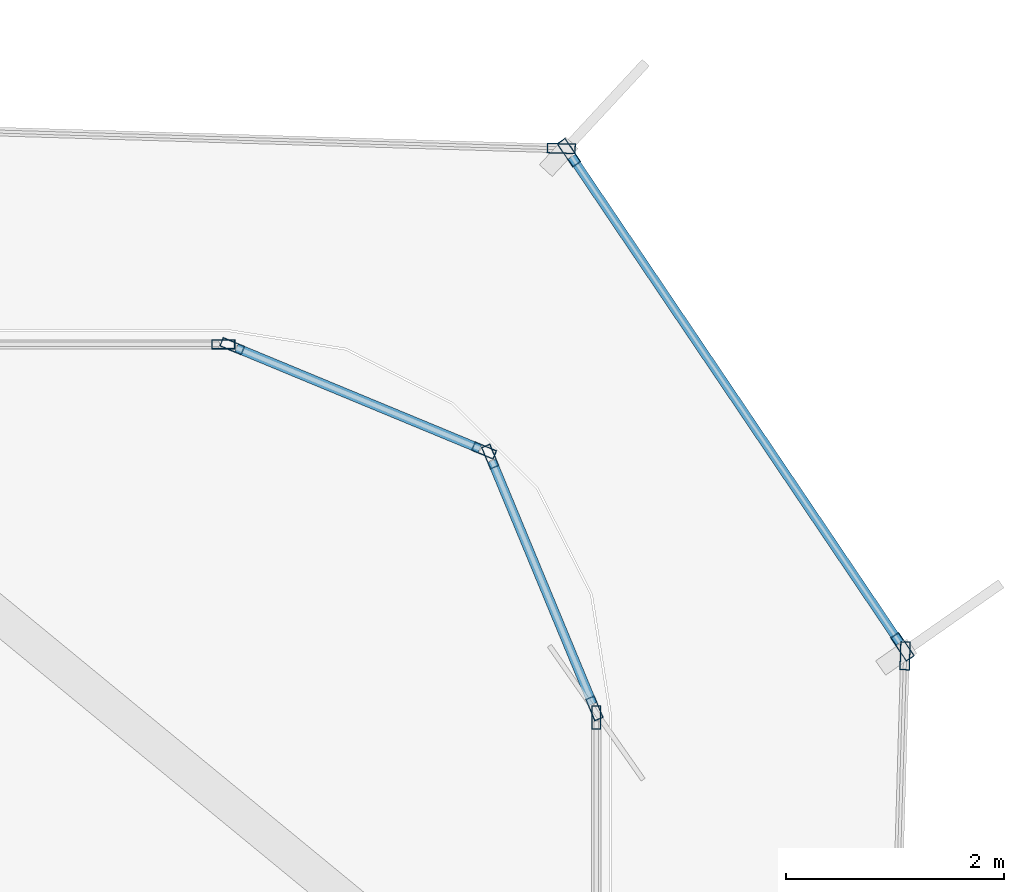
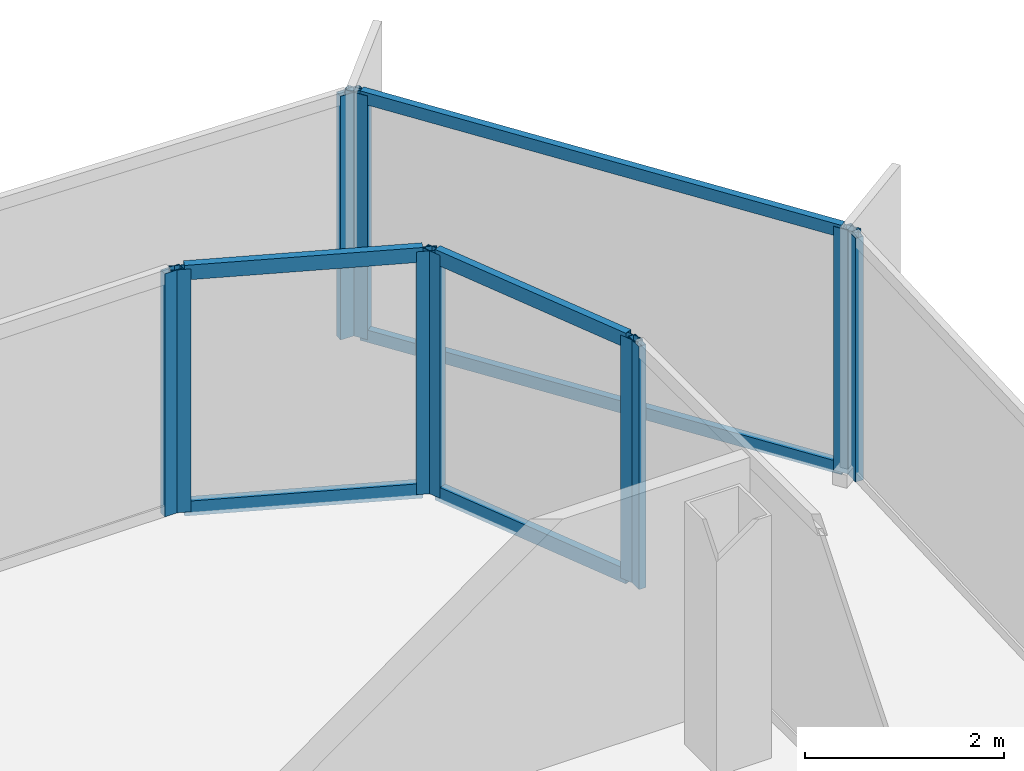
# One storey, part 8 of 15: 16 members, 7 elements without a shape of their own.
"""IFC4 building model written with IfcOpenShell, lengths in metres."""

from ifc_helpers import new_model, si_unit, direction, frame, origin, origin_2d, place, context, subcontext, project, spatial, hollow_rectangle, extrude, source, transform, mapped, material, layer, layer_set, material_profile, profile_set, type_object, element, aggregate, save


model = new_model("IFC4")

# Units and contexts
model_context = context("Model", 3, precision=1e-05, world=origin(), true_north=direction((0.0, 1.0)))
body_context = subcontext(model_context, "Body", "Model", "MODEL_VIEW")
ifc_project = project(units=[si_unit("LENGTHUNIT", "METRE"), si_unit("AREAUNIT", "SQUARE_METRE"), si_unit("VOLUMEUNIT", "CUBIC_METRE"), si_unit("PLANEANGLEUNIT", "RADIAN"), si_unit("MASSUNIT", "GRAM", prefix="KILO")], contexts=[model_context])

# Site, building, storey
site_placement = place(None, origin())
site = spatial("IfcSite", under=ifc_project, at=site_placement, CompositionType="ELEMENT")
building_placement = place(site_placement, origin())
building = spatial("IfcBuilding", under=site, at=building_placement, Name="Kolveth Station Tower", CompositionType="ELEMENT")
storey_placement = place(building_placement, frame((0.0, 0.0, 258.5)))
storey = spatial("IfcBuildingStorey", under=building, at=storey_placement, Name="L74", CompositionType="ELEMENT", Elevation=258.5)

# Curtain wall, member
ifc_material_1 = material(Name="Black anodized aluminium 6063-T6 and dark solar glass", Category="aluminium")
ifc_layer_1 = layer(ifc_material_1, 0.159912109375)
ifc_layer_set_1 = layer_set([ifc_layer_1], Name="Black anodized aluminium 6063-T6 and dark solar glass")
curtain_wall_type_1 = type_object("IfcCurtainWallType", Name="OUTER SKIN CW-OS", PredefinedType="NOTDEFINED", material=ifc_layer_set_1)
curtain_wall_1_placement = place(storey_placement, origin())
curtain_wall_1 = element("IfcCurtainWall", 1, at=curtain_wall_1_placement, inside=storey, type_object=curtain_wall_type_1, Name="L74 Outer Ventilated Skin Curtain Wall 2", PredefinedType="NOTDEFINED")
ifc_material_2 = material(Name="Black anodized aluminium 6063-T6", Category="aluminium")
ifc_material_profile_1 = material_profile(ifc_material_2, hollow_rectangle(XDim=0.090087890625, YDim=0.260009765625, WallThickness=0.0048828125, at=origin_2d()), Name="ALU-90x260x5")
ifc_profile_set_1 = profile_set([ifc_material_profile_1], Name="Black anodized aluminium 6063-T6")
member_type_1 = type_object("IfcMemberType", Name="FIN MULLION ML-OS", PredefinedType="MULLION", material=ifc_profile_set_1)
shared_shape_1 = source(origin(), body_context, "Body", "SweptSolid", [
    extrude(hollow_rectangle(XDim=0.090087890625, YDim=0.260009765625, WallThickness=0.0048828125, at=origin_2d()), origin(), (0.0, 0.0, 1.0), 2.989990234375),
])
member_1_placement = place(storey_placement, frame((44.513916015625, 32.322021484375, 0.0), z_axis=(0.0, 0.0, 1.0), x_axis=(-0.999566757924, 0.029432914465, 0.0)))
member_1 = element("IfcMember", 2, at=member_1_placement, type_object=member_type_1, Name="CW-OS mullion 2", PredefinedType="MULLION", context=body_context, shape_type="MappedRepresentation", body=[
    mapped(shared_shape_1, transform((0.0, 0.0, 0.0), x_axis=(1.0, 0.0, 0.0), y_axis=(0.0, 1.0, 0.0), z_axis=(0.0, 0.0, 1.0), scale=1.0)),
])
aggregate(curtain_wall_1, [member_1])

# Curtain wall, members
curtain_wall_2_placement = place(storey_placement, origin())
curtain_wall_2 = element("IfcCurtainWall", 3, at=curtain_wall_2_placement, inside=storey, type_object=curtain_wall_type_1, Name="L74 Outer Ventilated Skin Curtain Wall 3", PredefinedType="NOTDEFINED")
member_2_placement = place(storey_placement, frame((44.489990234375, 32.404296875, 0.0), z_axis=(0.0, 0.0, 1.0), x_axis=(-0.828883275485, -0.559421590236, 0.0)))
member_2 = element("IfcMember", 4, at=member_2_placement, type_object=member_type_1, Name="CW-OS mullion 1", PredefinedType="MULLION", context=body_context, shape_type="MappedRepresentation", body=[
    mapped(shared_shape_1, transform((0.0, 0.0, 0.0), x_axis=(1.0, 0.0, 0.0), y_axis=(0.0, 1.0, 0.0), z_axis=(0.0, 0.0, 1.0), scale=1.0)),
])
member_3_placement = place(storey_placement, frame((41.42919921875, 36.939453125, 0.0), z_axis=(0.0, 0.0, 1.0), x_axis=(-0.828883275485, -0.559421590236, 0.0)))
member_3 = element("IfcMember", 5, at=member_3_placement, type_object=member_type_1, Name="CW-OS mullion 2", PredefinedType="MULLION", context=body_context, shape_type="MappedRepresentation", body=[
    mapped(shared_shape_1, transform((0.0, 0.0, 0.0), x_axis=(1.0, 0.0, 0.0), y_axis=(0.0, 1.0, 0.0), z_axis=(0.0, 0.0, 1.0), scale=1.0)),
])

# Curtain wall, member
curtain_wall_3_placement = place(storey_placement, origin())
curtain_wall_3 = element("IfcCurtainWall", 6, at=curtain_wall_3_placement, inside=storey, type_object=curtain_wall_type_1, Name="L74 Outer Ventilated Skin Curtain Wall 4", PredefinedType="NOTDEFINED")
member_4_placement = place(storey_placement, frame((41.359130859375, 36.97802734375, 0.0), z_axis=(0.0, 0.0, 1.0), x_axis=(-0.029941317897, -0.999551658236, 0.0)))
member_4 = element("IfcMember", 7, at=member_4_placement, type_object=member_type_1, Name="CW-OS mullion 1", PredefinedType="MULLION", context=body_context, shape_type="MappedRepresentation", body=[
    mapped(shared_shape_1, transform((0.0, 0.0, 0.0), x_axis=(1.0, 0.0, 0.0), y_axis=(0.0, 1.0, 0.0), z_axis=(0.0, 0.0, 1.0), scale=1.0)),
])
aggregate(curtain_wall_3, [member_4])

ifc_material_3 = material(Name="Aluminium 6063-T6 and triple low-E dark glass", Category="aluminium")
ifc_layer_2 = layer(ifc_material_3, 0.199951171875)
ifc_layer_set_2 = layer_set([ifc_layer_2], Name="Aluminium 6063-T6 and triple low-E dark glass")
curtain_wall_type_2 = type_object("IfcCurtainWallType", Name="CurtainWall_CW-Z3", PredefinedType="NOTDEFINED", material=ifc_layer_set_2)
curtain_wall_4_placement = place(storey_placement, origin())
curtain_wall_4 = element("IfcCurtainWall", 8, at=curtain_wall_4_placement, inside=storey, type_object=curtain_wall_type_2, Name="L74 Inner Thermal Curtain Wall 3", PredefinedType="NOTDEFINED")
ifc_material_profile_2 = material_profile(ifc_material_2, hollow_rectangle(XDim=0.0849609375, YDim=0.215087890625, WallThickness=0.0048828125, at=origin_2d()), Name="ALU-85x215x5")
ifc_profile_set_2 = profile_set([ifc_material_profile_2], Name="Black anodized aluminium 6063-T6")
member_type_2 = type_object("IfcMemberType", Name="Mullion_ML3", PredefinedType="MULLION", material=ifc_profile_set_2)
shared_shape_2 = source(origin(), body_context, "Body", "SweptSolid", [
    extrude(hollow_rectangle(XDim=0.0849609375, YDim=0.215087890625, WallThickness=0.0048828125, at=origin_2d()), origin(), (0.0, 0.0, 1.0), 2.97998046875),
])
member_5_placement = place(storey_placement, frame((41.679931640625, 31.757568359375, 0.0), z_axis=(0.0, 0.0, 1.0), x_axis=(-1.0, 0.0, 0.0)))
member_5 = element("IfcMember", 9, at=member_5_placement, type_object=member_type_2, Name="CW-Z3 mullion 2", PredefinedType="MULLION", context=body_context, shape_type="MappedRepresentation", body=[
    mapped(shared_shape_2, transform((0.0, 0.0, 0.0), x_axis=(1.0, 0.0, 0.0), y_axis=(0.0, 1.0, 0.0), z_axis=(0.0, 0.0, 1.0), scale=1.0)),
])
aggregate(curtain_wall_4, [member_5])

# Curtain wall, members
curtain_wall_5_placement = place(storey_placement, origin())
curtain_wall_5 = element("IfcCurtainWall", 10, at=curtain_wall_5_placement, inside=storey, type_object=curtain_wall_type_2, Name="L74 Inner Thermal Curtain Wall 4", PredefinedType="NOTDEFINED")
member_6_placement = place(storey_placement, frame((41.663818359375, 31.83935546875, 0.0), z_axis=(0.0, 0.0, 1.0), x_axis=(-0.923875488975, -0.382693194181, 0.0)))
member_6 = element("IfcMember", 11, at=member_6_placement, type_object=member_type_2, Name="CW-Z3 mullion 1", PredefinedType="MULLION", context=body_context, shape_type="MappedRepresentation", body=[
    mapped(shared_shape_2, transform((0.0, 0.0, 0.0), x_axis=(1.0, 0.0, 0.0), y_axis=(0.0, 1.0, 0.0), z_axis=(0.0, 0.0, 1.0), scale=1.0)),
])
member_7_placement = place(storey_placement, frame((40.706298828125, 34.150634765625, 0.0), z_axis=(0.0, 0.0, 1.0), x_axis=(-0.923875488975, -0.382693194181, 0.0)))
member_7 = element("IfcMember", 12, at=member_7_placement, type_object=member_type_2, Name="CW-Z3 mullion 2", PredefinedType="MULLION", context=body_context, shape_type="MappedRepresentation", body=[
    mapped(shared_shape_2, transform((0.0, 0.0, 0.0), x_axis=(1.0, 0.0, 0.0), y_axis=(0.0, 1.0, 0.0), z_axis=(0.0, 0.0, 1.0), scale=1.0)),
])

curtain_wall_6_placement = place(storey_placement, origin())
curtain_wall_6 = element("IfcCurtainWall", 13, at=curtain_wall_6_placement, inside=storey, type_object=curtain_wall_type_2, Name="L74 Inner Thermal Curtain Wall 5", PredefinedType="NOTDEFINED")
member_8_placement = place(storey_placement, frame((40.650634765625, 34.206298828125, 0.0), z_axis=(0.0, 0.0, 1.0), x_axis=(-0.382693194181, -0.923875488975, 0.0)))
member_8 = element("IfcMember", 14, at=member_8_placement, type_object=member_type_2, Name="CW-Z3 mullion 1", PredefinedType="MULLION", context=body_context, shape_type="MappedRepresentation", body=[
    mapped(shared_shape_2, transform((0.0, 0.0, 0.0), x_axis=(1.0, 0.0, 0.0), y_axis=(0.0, 1.0, 0.0), z_axis=(0.0, 0.0, 1.0), scale=1.0)),
])
member_9_placement = place(storey_placement, frame((38.33935546875, 35.163818359375, 0.0), z_axis=(0.0, 0.0, 1.0), x_axis=(-0.382693194181, -0.923875488975, 0.0)))
member_9 = element("IfcMember", 15, at=member_9_placement, type_object=member_type_2, Name="CW-Z3 mullion 2", PredefinedType="MULLION", context=body_context, shape_type="MappedRepresentation", body=[
    mapped(shared_shape_2, transform((0.0, 0.0, 0.0), x_axis=(1.0, 0.0, 0.0), y_axis=(0.0, 1.0, 0.0), z_axis=(0.0, 0.0, 1.0), scale=1.0)),
])

# Curtain wall, member
curtain_wall_7_placement = place(storey_placement, origin())
curtain_wall_7 = element("IfcCurtainWall", 16, at=curtain_wall_7_placement, inside=storey, type_object=curtain_wall_type_2, Name="L74 Inner Thermal Curtain Wall 6", PredefinedType="NOTDEFINED")
member_10_placement = place(storey_placement, frame((38.257568359375, 35.179931640625, 0.0), z_axis=(0.0, 0.0, 1.0), x_axis=(0.0, -1.0, 0.0)))
member_10 = element("IfcMember", 17, at=member_10_placement, type_object=member_type_2, Name="CW-Z3 mullion 1", PredefinedType="MULLION", context=body_context, shape_type="MappedRepresentation", body=[
    mapped(shared_shape_2, transform((0.0, 0.0, 0.0), x_axis=(1.0, 0.0, 0.0), y_axis=(0.0, 1.0, 0.0), z_axis=(0.0, 0.0, 1.0), scale=1.0)),
])
aggregate(curtain_wall_7, [member_10])

# Member
ifc_material_profile_3 = material_profile(ifc_material_2, hollow_rectangle(XDim=0.0849609375, YDim=0.179931640625, WallThickness=0.0048828125, at=origin_2d()), Name="ALU-85x180x5")
ifc_profile_set_3 = profile_set([ifc_material_profile_3], Name="Black anodized aluminium 6063-T6")
member_type_3 = type_object("IfcMemberType", Name="Transom_TR3", PredefinedType="USERDEFINED", material=ifc_profile_set_3)
shared_shape_3 = source(origin(), body_context, "Body", "SweptSolid", [
    extrude(hollow_rectangle(XDim=0.0849609375, YDim=0.179931640625, WallThickness=0.0048828125, at=origin_2d()), origin(), (0.0, 0.0, 1.0), 2.417236328125),
])
member_11_placement = place(storey_placement, frame((41.6474609375, 31.87841796875, 0.04248046875), z_axis=(-0.382699687013, 0.923872799448, 0.0), x_axis=(-0.923872799448, -0.382699687013, 0.0)))
member_11 = element("IfcMember", 18, at=member_11_placement, type_object=member_type_3, Name="CW-Z3 transom 1.1", ObjectType="TRANSOM", PredefinedType="USERDEFINED", context=body_context, shape_type="MappedRepresentation", body=[
    mapped(shared_shape_3, transform((0.0, 0.0, 0.0), x_axis=(1.0, 0.0, 0.0), y_axis=(0.0, 1.0, 0.0), z_axis=(0.0, 0.0, 1.0), scale=1.0)),
])

member_12_placement = place(storey_placement, frame((41.6474609375, 31.87841796875, 2.9375), z_axis=(-0.382699687013, 0.923872799448, 0.0), x_axis=(-0.923872799448, -0.382699687013, 0.0)))
member_12 = element("IfcMember", 19, at=member_12_placement, type_object=member_type_3, Name="CW-Z3 transom 1.2", ObjectType="TRANSOM", PredefinedType="USERDEFINED", context=body_context, shape_type="MappedRepresentation", body=[
    mapped(shared_shape_3, transform((0.0, 0.0, 0.0), x_axis=(1.0, 0.0, 0.0), y_axis=(0.0, 1.0, 0.0), z_axis=(0.0, 0.0, 1.0), scale=1.0)),
])

aggregate(curtain_wall_5, [member_6, member_7, member_11, member_12])

member_13_placement = place(storey_placement, frame((40.611572265625, 34.222412109375, 0.04248046875), z_axis=(-0.923872799448, 0.382699687013, 0.0), x_axis=(-0.382699687013, -0.923872799448, 0.0)))
member_13 = element("IfcMember", 20, at=member_13_placement, type_object=member_type_3, Name="CW-Z3 transom 1.1", ObjectType="TRANSOM", PredefinedType="USERDEFINED", context=body_context, shape_type="MappedRepresentation", body=[
    mapped(shared_shape_3, transform((0.0, 0.0, 0.0), x_axis=(1.0, 0.0, 0.0), y_axis=(0.0, 1.0, 0.0), z_axis=(0.0, 0.0, 1.0), scale=1.0)),
])

member_14_placement = place(storey_placement, frame((40.611572265625, 34.222412109375, 2.9375), z_axis=(-0.923872799448, 0.382699687013, 0.0), x_axis=(-0.382699687013, -0.923872799448, 0.0)))
member_14 = element("IfcMember", 21, at=member_14_placement, type_object=member_type_3, Name="CW-Z3 transom 1.2", ObjectType="TRANSOM", PredefinedType="USERDEFINED", context=body_context, shape_type="MappedRepresentation", body=[
    mapped(shared_shape_3, transform((0.0, 0.0, 0.0), x_axis=(1.0, 0.0, 0.0), y_axis=(0.0, 1.0, 0.0), z_axis=(0.0, 0.0, 1.0), scale=1.0)),
])

aggregate(curtain_wall_6, [member_8, member_9, member_13, member_14])

ifc_material_profile_4 = material_profile(ifc_material_2, hollow_rectangle(XDim=0.080078125, YDim=0.14990234375, WallThickness=0.0048828125, at=origin_2d()), Name="ALU-80x150x5")
ifc_profile_set_4 = profile_set([ifc_material_profile_4], Name="Black anodized aluminium 6063-T6")
member_type_4 = type_object("IfcMemberType", Name="Transom_TR-OS", PredefinedType="USERDEFINED", material=ifc_profile_set_4)
shared_shape_4 = source(origin(), body_context, "Body", "SweptSolid", [
    extrude(hollow_rectangle(XDim=0.080078125, YDim=0.14990234375, WallThickness=0.0048828125, at=origin_2d()), origin(), (0.0, 0.0, 1.0), 5.38134765625),
])
member_15_placement = place(storey_placement, frame((44.46484375, 32.441650390625, 0.0400390625), z_axis=(-0.559433895097, 0.828874970678, 0.0), x_axis=(-0.828874970678, -0.559433895097, 0.0)))
member_15 = element("IfcMember", 22, at=member_15_placement, type_object=member_type_4, Name="CW-OS transom 1.1", ObjectType="TRANSOM", PredefinedType="USERDEFINED", context=body_context, shape_type="MappedRepresentation", body=[
    mapped(shared_shape_4, transform((0.0, 0.0, 0.0), x_axis=(1.0, 0.0, 0.0), y_axis=(0.0, 1.0, 0.0), z_axis=(0.0, 0.0, 1.0), scale=1.0)),
])

member_16_placement = place(storey_placement, frame((44.46484375, 32.441650390625, 2.949951171875), z_axis=(-0.559433895097, 0.828874970678, 0.0), x_axis=(-0.828874970678, -0.559433895097, 0.0)))
member_16 = element("IfcMember", 23, at=member_16_placement, type_object=member_type_4, Name="CW-OS transom 1.2", ObjectType="TRANSOM", PredefinedType="USERDEFINED", context=body_context, shape_type="MappedRepresentation", body=[
    mapped(shared_shape_4, transform((0.0, 0.0, 0.0), x_axis=(1.0, 0.0, 0.0), y_axis=(0.0, 1.0, 0.0), z_axis=(0.0, 0.0, 1.0), scale=1.0)),
])

aggregate(curtain_wall_2, [member_2, member_3, member_15, member_16])

save(model, "model.ifc")
